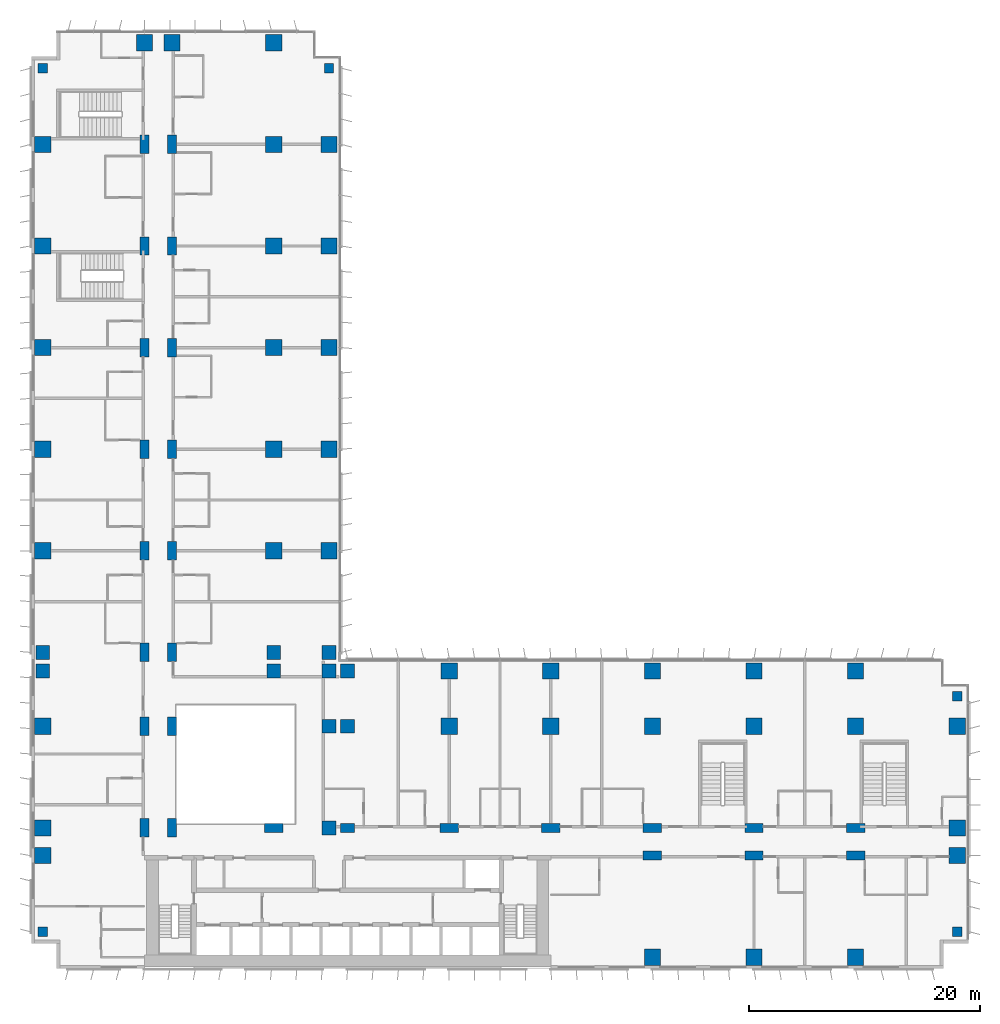
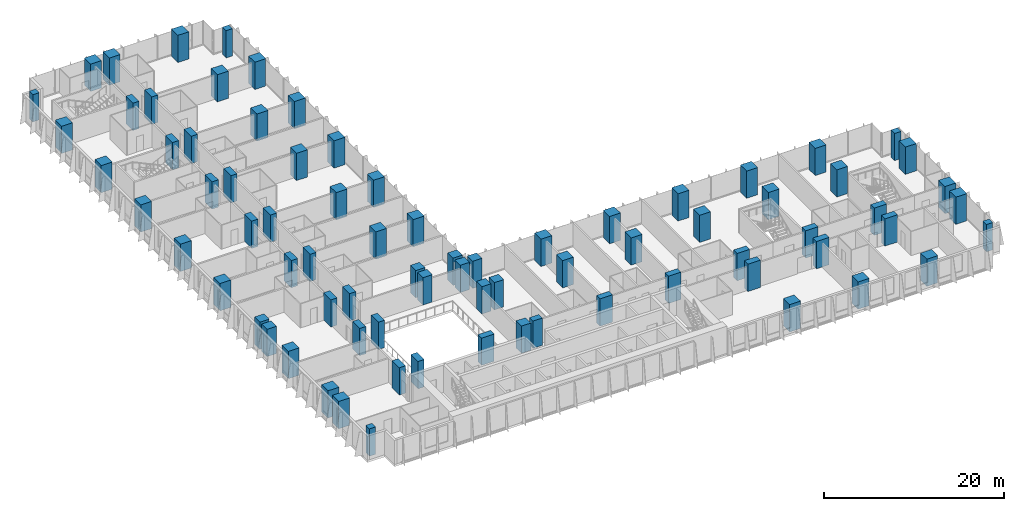
# One storey, part 1 of 23: 78 columns.
"""IFC4 building model written with IfcOpenShell, lengths in metres."""

from ifc_helpers import new_model, si_unit, direction, frame, origin, origin_2d, place, context, subcontext, project, spatial, rectangle, extrude, material, material_profile, profile_set, type_object, element, save


model = new_model("IFC4")

# Units and contexts
model_context = context("Model", 3, precision=1e-05, world=origin(), true_north=direction((0.0, 1.0)))
body_context = subcontext(model_context, "Body", "Model", "MODEL_VIEW")
ifc_project = project(units=[si_unit("LENGTHUNIT", "METRE"), si_unit("AREAUNIT", "SQUARE_METRE"), si_unit("VOLUMEUNIT", "CUBIC_METRE"), si_unit("PLANEANGLEUNIT", "RADIAN"), si_unit("MASSUNIT", "GRAM", prefix="KILO")], contexts=[model_context])

# Site, building, storey
site_placement = place(None, origin())
site = spatial("IfcSite", under=ifc_project, at=site_placement, CompositionType="ELEMENT")
building_placement = place(site_placement, origin())
building = spatial("IfcBuilding", under=site, at=building_placement, Name="Kemantara Hotel Tower", CompositionType="ELEMENT")
storey_placement = place(building_placement, frame((0.0, 0.0, 67.300048828125)))
storey = spatial("IfcBuildingStorey", under=building, at=storey_placement, Name="L15", CompositionType="ELEMENT", Elevation=67.300048828125)

# Columns
ifc_material = material(Name="Concrete fc 70 MPa", Category="concrete")
ifc_material_profile_1 = material_profile(ifc_material, rectangle(XDim=1.199951171875, YDim=1.199951171875, at=origin_2d()), Name="RC 1200X1200")
ifc_profile_set_1 = profile_set([ifc_material_profile_1], Name="Concrete fc 70 MPa")
column_type_1 = type_object("IfcColumnType", Name="RC COLUMN 1200X1200 FC70", PredefinedType="COLUMN", material=ifc_profile_set_1)
for number, where, z_axis, x_axis, name in (
    (1, (1.0, 25.800048828125, 0.0), (0.0, 0.0, 1.0), (1.0, 0.0, 0.0), "COLUMN 1/CA L15"),
    (2, (1.0, 27.39990234375, 0.0), (0.0, 0.0, 1.0), (1.0, 0.0, 0.0), "COLUMN 1/D L15"),
    (3, (21.0, 25.800048828125, 0.0), (0.0, 0.0, 1.0), (1.0, 0.0, 0.0), "COLUMN 3/CA L15"),
    (4, (21.0, 27.39990234375, 0.0), (0.0, 0.0, 1.0), (1.0, 0.0, 0.0), "COLUMN 3/D L15"),
    (5, (25.800048828125, 12.199951171875, 0.0), (0.0, 0.0, 1.0), (1.0, 0.0, 0.0), "COLUMN 3A/BA L15"),
    (6, (25.800048828125, 21.0, 0.0), (0.0, 0.0, 1.0), (1.0, 0.0, 0.0), "COLUMN 3A/C L15"),
    (7, (25.800048828125, 25.800048828125, 0.0), (0.0, 0.0, 1.0), (1.0, 0.0, 0.0), "COLUMN 3A/CA L15"),
    (8, (25.800048828125, 27.39990234375, 0.0), (0.0, 0.0, 1.0), (1.0, 0.0, 0.0), "COLUMN 3A/D L15"),
    (9, (27.39990234375, 21.0, 0.0), (0.0, 0.0, 1.0), (1.0, 0.0, 0.0), "COLUMN 4/C L15"),
    (10, (27.39990234375, 25.800048828125, 0.0), (0.0, 0.0, 1.0), (1.0, 0.0, 0.0), "COLUMN 4/CA L15"),
):
    element("IfcColumn", number, at=place(storey_placement, frame(where, z_axis=z_axis, x_axis=x_axis)), inside=storey, type_object=column_type_1, Name=name, PredefinedType="COLUMN", context=body_context, shape_type="SweptSolid", body=[
        extrude(rectangle(XDim=1.199951171875, YDim=1.199951171875, at=origin_2d()), origin(), (0.0, 0.0, 1.0), 3.699951171875),
    ])
ifc_material_profile_2 = material_profile(ifc_material, rectangle(XDim=1.199951171875, YDim=0.800048828125, at=origin_2d()), Name="RC 1200X800")
ifc_profile_set_2 = profile_set([ifc_material_profile_2], Name="Concrete fc 70 MPa")
column_type_2 = type_object("IfcColumnType", Name="RC COLUMN 1200X800 FC70", PredefinedType="COLUMN", material=ifc_profile_set_2)
column_placement = place(storey_placement, frame((27.39990234375, 12.199951171875, 0.0), z_axis=(0.0, 0.0, 1.0), x_axis=(1.0, 0.0, 0.0)))
element("IfcColumn", 11, at=column_placement, inside=storey, type_object=column_type_2, Name="COLUMN 4/BA L15", PredefinedType="COLUMN", context=body_context, shape_type="SweptSolid", body=[
    extrude(rectangle(XDim=1.199951171875, YDim=0.800048828125, at=origin_2d()), origin(), (0.0, 0.0, 1.0), 3.699951171875),
])
ifc_material_profile_3 = material_profile(ifc_material, rectangle(XDim=1.39990234375, YDim=1.39990234375, at=origin_2d()), Name="RC 1400X1400")
ifc_profile_set_3 = profile_set([ifc_material_profile_3], Name="Concrete fc 70 MPa")
column_type_3 = type_object("IfcColumnType", Name="RC COLUMN 1400X1400 FC70", PredefinedType="COLUMN", material=ifc_profile_set_3)
for number, where, z_axis, x_axis, name in (
    (12, (1.0, 9.800048828125, 0.0), (0.0, 0.0, 1.0), (1.0, 0.0, 0.0), "COLUMN 1/B L15"),
    (13, (1.0, 12.199951171875, 0.0), (0.0, 0.0, 1.0), (1.0, 0.0, 0.0), "COLUMN 1/BA L15"),
    (14, (1.0, 21.0, 0.0), (0.0, 0.0, 1.0), (1.0, 0.0, 0.0), "COLUMN 1/C L15"),
    (15, (1.0, 36.199951171875, 0.0), (0.0, 0.0, 1.0), (1.0, 0.0, 0.0), "COLUMN 1/E L15"),
    (16, (1.0, 45.0, 0.0), (0.0, 0.0, 1.0), (1.0, 0.0, 0.0), "COLUMN 1/F L15"),
    (17, (1.0, 53.800048828125, 0.0), (0.0, 0.0, 1.0), (1.0, 0.0, 0.0), "COLUMN 1/G L15"),
    (18, (1.0, 62.60009765625, 0.0), (0.0, 0.0, 1.0), (1.0, 0.0, 0.0), "COLUMN 1/H L15"),
    (19, (1.0, 71.39990234375, 0.0), (0.0, 0.0, 1.0), (1.0, 0.0, 0.0), "COLUMN 1/J L15"),
    (20, (9.800048828125, 80.199951171875, 0.0), (0.0, 0.0, 1.0), (1.0, 0.0, 0.0), "COLUMN 2/K L15"),
    (21, (12.199951171875, 80.199951171875, 0.0), (0.0, 0.0, 1.0), (1.0, 0.0, 0.0), "COLUMN 2A/K L15"),
    (22, (21.0, 36.199951171875, 0.0), (0.0, 0.0, 1.0), (1.0, 0.0, 0.0), "COLUMN 3/E L15"),
    (23, (21.0, 45.0, 0.0), (0.0, 0.0, 1.0), (1.0, 0.0, 0.0), "COLUMN 3/F L15"),
    (24, (21.0, 53.800048828125, 0.0), (0.0, 0.0, 1.0), (1.0, 0.0, 0.0), "COLUMN 3/G L15"),
    (25, (21.0, 62.60009765625, 0.0), (0.0, 0.0, 1.0), (1.0, 0.0, 0.0), "COLUMN 3/H L15"),
    (26, (21.0, 71.39990234375, 0.0), (0.0, 0.0, 1.0), (1.0, 0.0, 0.0), "COLUMN 3/J L15"),
    (27, (21.0, 80.199951171875, 0.0), (0.0, 0.0, 1.0), (1.0, 0.0, 0.0), "COLUMN 3/K L15"),
    (28, (25.800048828125, 36.199951171875, 0.0), (0.0, 0.0, 1.0), (1.0, 0.0, 0.0), "COLUMN 3A/E L15"),
    (29, (25.800048828125, 45.0, 0.0), (0.0, 0.0, 1.0), (1.0, 0.0, 0.0), "COLUMN 3A/F L15"),
    (30, (25.800048828125, 53.800048828125, 0.0), (0.0, 0.0, 1.0), (1.0, 0.0, 0.0), "COLUMN 3A/G L15"),
    (31, (25.800048828125, 62.60009765625, 0.0), (0.0, 0.0, 1.0), (1.0, 0.0, 0.0), "COLUMN 3A/H L15"),
    (32, (25.800048828125, 71.39990234375, 0.0), (0.0, 0.0, 1.0), (1.0, 0.0, 0.0), "COLUMN 3A/J L15"),
    (33, (36.199951171875, 21.0, 0.0), (0.0, 0.0, 1.0), (1.0, 0.0, 0.0), "COLUMN 5/C L15"),
    (34, (36.199951171875, 25.800048828125, 0.0), (0.0, 0.0, 1.0), (1.0, 0.0, 0.0), "COLUMN 5/CA L15"),
    (35, (45.0, 21.0, 0.0), (0.0, 0.0, 1.0), (1.0, 0.0, 0.0), "COLUMN 6/C L15"),
    (36, (45.0, 25.800048828125, 0.0), (0.0, 0.0, 1.0), (1.0, 0.0, 0.0), "COLUMN 6/CA L15"),
    (37, (53.800048828125, 1.0, 0.0), (0.0, 0.0, 1.0), (1.0, 0.0, 0.0), "COLUMN 7/A L15"),
    (38, (53.800048828125, 21.0, 0.0), (0.0, 0.0, 1.0), (1.0, 0.0, 0.0), "COLUMN 7/C L15"),
    (39, (53.800048828125, 25.800048828125, 0.0), (0.0, 0.0, 1.0), (1.0, 0.0, 0.0), "COLUMN 7/CA L15"),
    (40, (62.60009765625, 1.0, 0.0), (0.0, 0.0, 1.0), (1.0, 0.0, 0.0), "COLUMN 8/A L15"),
    (41, (62.60009765625, 21.0, 0.0), (0.0, 0.0, 1.0), (1.0, 0.0, 0.0), "COLUMN 8/C L15"),
    (42, (62.60009765625, 25.800048828125, 0.0), (0.0, 0.0, 1.0), (1.0, 0.0, 0.0), "COLUMN 8/CA L15"),
    (43, (71.39990234375, 1.0, 0.0), (0.0, 0.0, 1.0), (1.0, 0.0, 0.0), "COLUMN 9/A L15"),
    (44, (71.39990234375, 21.0, 0.0), (0.0, 0.0, 1.0), (1.0, 0.0, 0.0), "COLUMN 9/C L15"),
    (45, (71.39990234375, 25.800048828125, 0.0), (0.0, 0.0, 1.0), (1.0, 0.0, 0.0), "COLUMN 9/CA L15"),
    (46, (80.199951171875, 9.800048828125, 0.0), (0.0, 0.0, 1.0), (1.0, 0.0, 0.0), "COLUMN 10/B L15"),
    (47, (80.199951171875, 12.199951171875, 0.0), (0.0, 0.0, 1.0), (1.0, 0.0, 0.0), "COLUMN 10/BA L15"),
    (48, (80.199951171875, 21.0, 0.0), (0.0, 0.0, 1.0), (1.0, 0.0, 0.0), "COLUMN 10/C L15"),
):
    element("IfcColumn", number, at=place(storey_placement, frame(where, z_axis=z_axis, x_axis=x_axis)), inside=storey, type_object=column_type_3, Name=name, PredefinedType="COLUMN", context=body_context, shape_type="SweptSolid", body=[
        extrude(rectangle(XDim=1.39990234375, YDim=1.39990234375, at=origin_2d()), origin(), (0.0, 0.0, 1.0), 3.699951171875),
    ])
ifc_material_profile_4 = material_profile(ifc_material, rectangle(XDim=1.60009765625, YDim=0.800048828125, at=origin_2d()), Name="RC 1600X800")
ifc_profile_set_4 = profile_set([ifc_material_profile_4], Name="Concrete fc 70 MPa")
column_type_4 = type_object("IfcColumnType", Name="RC COLUMN 1600X800 FC70", PredefinedType="COLUMN", material=ifc_profile_set_4)
for number, where, z_axis, x_axis, name in (
    (49, (9.800048828125, 12.199951171875, 0.0), (0.0, 0.0, 1.0), (0.0, 1.0, 0.0), "COLUMN 2/BA L15"),
    (50, (9.800048828125, 21.0, 0.0), (0.0, 0.0, 1.0), (0.0, 1.0, 0.0), "COLUMN 2/C L15"),
    (51, (9.800048828125, 27.39990234375, 0.0), (0.0, 0.0, 1.0), (0.0, 1.0, 0.0), "COLUMN 2/D L15"),
    (52, (9.800048828125, 36.199951171875, 0.0), (0.0, 0.0, 1.0), (0.0, 1.0, 0.0), "COLUMN 2/E L15"),
    (53, (9.800048828125, 45.0, 0.0), (0.0, 0.0, 1.0), (0.0, 1.0, 0.0), "COLUMN 2/F L15"),
    (54, (9.800048828125, 53.800048828125, 0.0), (0.0, 0.0, 1.0), (0.0, 1.0, 0.0), "COLUMN 2/G L15"),
    (55, (9.800048828125, 62.60009765625, 0.0), (0.0, 0.0, 1.0), (0.0, 1.0, 0.0), "COLUMN 2/H L15"),
    (56, (9.800048828125, 71.39990234375, 0.0), (0.0, 0.0, 1.0), (0.0, 1.0, 0.0), "COLUMN 2/J L15"),
    (57, (12.199951171875, 12.199951171875, 0.0), (0.0, 0.0, 1.0), (0.0, 1.0, 0.0), "COLUMN 2A/BA L15"),
    (58, (12.199951171875, 21.0, 0.0), (0.0, 0.0, 1.0), (0.0, 1.0, 0.0), "COLUMN 2A/C L15"),
    (59, (12.199951171875, 27.39990234375, 0.0), (0.0, 0.0, 1.0), (0.0, 1.0, 0.0), "COLUMN 2A/D L15"),
    (60, (12.199951171875, 36.199951171875, 0.0), (0.0, 0.0, 1.0), (0.0, 1.0, 0.0), "COLUMN 2A/E L15"),
    (61, (12.199951171875, 45.0, 0.0), (0.0, 0.0, 1.0), (0.0, 1.0, 0.0), "COLUMN 2A/F L15"),
    (62, (12.199951171875, 53.800048828125, 0.0), (0.0, 0.0, 1.0), (0.0, 1.0, 0.0), "COLUMN 2A/G L15"),
    (63, (12.199951171875, 62.60009765625, 0.0), (0.0, 0.0, 1.0), (0.0, 1.0, 0.0), "COLUMN 2A/H L15"),
    (64, (12.199951171875, 71.39990234375, 0.0), (0.0, 0.0, 1.0), (0.0, 1.0, 0.0), "COLUMN 2A/J L15"),
    (65, (21.0, 12.199951171875, 0.0), (0.0, 0.0, 1.0), (1.0, 0.0, 0.0), "COLUMN 3/BA L15"),
    (66, (36.199951171875, 12.199951171875, 0.0), (0.0, 0.0, 1.0), (1.0, 0.0, 0.0), "COLUMN 5/BA L15"),
    (67, (45.0, 12.199951171875, 0.0), (0.0, 0.0, 1.0), (1.0, 0.0, 0.0), "COLUMN 6/BA L15"),
    (68, (53.800048828125, 9.800048828125, 0.0), (0.0, 0.0, 1.0), (1.0, 0.0, 0.0), "COLUMN 7/B L15"),
    (69, (53.800048828125, 12.199951171875, 0.0), (0.0, 0.0, 1.0), (1.0, 0.0, 0.0), "COLUMN 7/BA L15"),
    (70, (62.60009765625, 9.800048828125, 0.0), (0.0, 0.0, 1.0), (1.0, 0.0, 0.0), "COLUMN 8/B L15"),
    (71, (62.60009765625, 12.199951171875, 0.0), (0.0, 0.0, 1.0), (1.0, 0.0, 0.0), "COLUMN 8/BA L15"),
    (72, (71.39990234375, 9.800048828125, 0.0), (0.0, 0.0, 1.0), (1.0, 0.0, 0.0), "COLUMN 9/B L15"),
    (73, (71.39990234375, 12.199951171875, 0.0), (0.0, 0.0, 1.0), (1.0, 0.0, 0.0), "COLUMN 9/BA L15"),
):
    element("IfcColumn", number, at=place(storey_placement, frame(where, z_axis=z_axis, x_axis=x_axis)), inside=storey, type_object=column_type_4, Name=name, PredefinedType="COLUMN", context=body_context, shape_type="SweptSolid", body=[
        extrude(rectangle(XDim=1.60009765625, YDim=0.800048828125, at=origin_2d()), origin(), (0.0, 0.0, 1.0), 3.699951171875),
    ])
ifc_material_profile_5 = material_profile(ifc_material, rectangle(XDim=0.800048828125, YDim=0.800048828125, at=origin_2d()), Name="RC 800X800")
ifc_profile_set_5 = profile_set([ifc_material_profile_5], Name="Concrete fc 70 MPa")
column_type_5 = type_object("IfcColumnType", Name="RC COLUMN 800X800 FC70", PredefinedType="COLUMN", material=ifc_profile_set_5)
for number, where, z_axis, x_axis, name in (
    (74, (1.0, 3.199951171875, 0.0), (0.0, 0.0, 1.0), (1.0, 0.0, 0.0), "COLUMN notch corner L15"),
    (75, (1.0, 78.0, 0.0), (0.0, 0.0, 1.0), (1.0, 0.0, 0.0), "COLUMN notch corner L15"),
    (76, (25.800048828125, 78.0, 0.0), (0.0, 0.0, 1.0), (1.0, 0.0, 0.0), "COLUMN notch corner L15"),
    (77, (80.199951171875, 3.199951171875, 0.0), (0.0, 0.0, 1.0), (1.0, 0.0, 0.0), "COLUMN notch corner L15"),
    (78, (80.199951171875, 23.60009765625, 0.0), (0.0, 0.0, 1.0), (1.0, 0.0, 0.0), "COLUMN notch corner L15"),
):
    element("IfcColumn", number, at=place(storey_placement, frame(where, z_axis=z_axis, x_axis=x_axis)), inside=storey, type_object=column_type_5, Name=name, PredefinedType="COLUMN", context=body_context, shape_type="SweptSolid", body=[
        extrude(rectangle(XDim=0.800048828125, YDim=0.800048828125, at=origin_2d()), origin(), (0.0, 0.0, 1.0), 3.699951171875),
    ])

save(model, "model.ifc")
